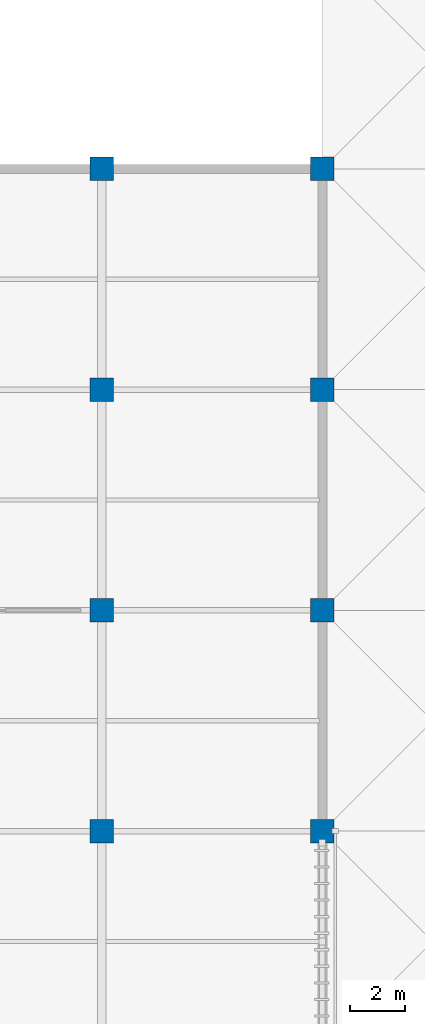
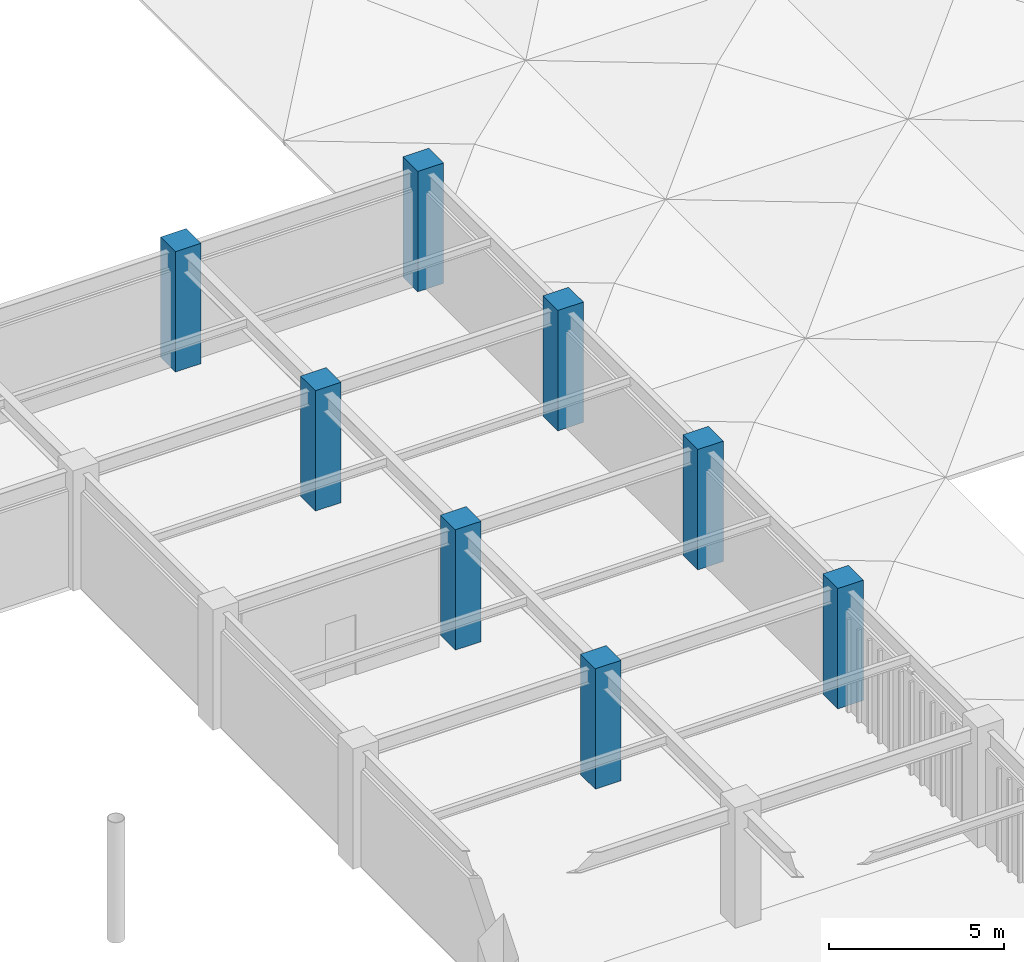
# One storey, part 18 of 78: 8 columns.
"""IFC4 building model written with IfcOpenShell, lengths in metres."""

import ifcopenshell
import ifcopenshell.guid

model = None  # the IFC model being written
_history = None  # IfcOwnerHistory: only IFC2X3 demands one
_inside = {}  # id of a spatial element -> (the spatial element, [elements in it])
_under = {}  # id of a project, library or spatial element -> (it, [spatial elements below it])
_declared = {}  # id of a project -> (the project, [libraries it declares])
_typed = {}  # id of a type object -> (the type object, [elements of that type])
_made_of = {}  # id of a material, layer set ... -> (it, [elements and type objects made of it])


def new_model(schema):
    """Start an empty IFC model of exactly this schema.

    Asked for "IFC4X3", IfcOpenShell would pick the latest addendum, in which some entities
    have other attributes; the version numbers below select the first issue.
    IFC2X3 requires an IfcOwnerHistory on every rooted entity: one is made here for all.
    """
    global model, _history
    if schema == "IFC4X3":
        model = ifcopenshell.file(schema_version=(4, 3, 0, 0))
    else:
        model = ifcopenshell.file(schema=schema)
    _inside.clear()
    _under.clear()
    _declared.clear()
    _typed.clear()
    _made_of.clear()
    _history = None
    if model.schema == "IFC2X3":
        org = make("IfcOrganization", Name="unknown")
        user = make(
            "IfcPersonAndOrganization",
            ThePerson=make("IfcPerson", FamilyName="unknown"),
            TheOrganization=org,
        )
        app = make(
            "IfcApplication",
            ApplicationDeveloper=org,
            Version="unknown",
            ApplicationFullName="unknown",
            ApplicationIdentifier="unknown",
        )
        _history = make(
            "IfcOwnerHistory",
            OwningUser=user,
            OwningApplication=app,
            ChangeAction="ADDED",
            CreationDate=0,
        )
    return model


def make(cls, **values):
    """One entity of the class cls with the attributes given. An attribute that is None is left unset."""
    return model.create_entity(
        cls, **{name: value for name, value in values.items() if value is not None}
    )


def rooted(cls, **values):
    """An entity with a GlobalId (a new one), such as an element, a storey or a relation."""
    return make(cls, GlobalId=ifcopenshell.guid.new(), OwnerHistory=_history, **values)


def si_unit(unit_type, name, prefix=None):
    """IfcSIUnit, for example si_unit("LENGTHUNIT", "METRE", prefix="MILLI")."""
    return make("IfcSIUnit", UnitType=unit_type, Prefix=prefix, Name=name)


def assignment(units):
    """IfcUnitAssignment: the units of a project."""
    return None if units is None else make("IfcUnitAssignment", Units=units)


def point(xyz):
    """IfcCartesianPoint."""
    return None if xyz is None else make("IfcCartesianPoint", Coordinates=xyz)


def direction(xyz):
    """IfcDirection."""
    return None if xyz is None else make("IfcDirection", DirectionRatios=xyz)


def frame(location, z_axis=None, x_axis=None):
    """IfcAxis2Placement3D, a coordinate frame: its origin and axes. An axis left out is left unset."""
    return make(
        "IfcAxis2Placement3D",
        Location=point(location),
        Axis=direction(z_axis),
        RefDirection=direction(x_axis),
    )


def frame_2d(location, x_axis=None):
    """IfcAxis2Placement2D, a coordinate frame in the plane: its origin and x axis."""
    return make(
        "IfcAxis2Placement2D", Location=point(location), RefDirection=direction(x_axis)
    )


def origin():
    """The frame at (0, 0, 0) with its axes left unset."""
    return frame((0.0, 0.0, 0.0))


def origin_2d():
    """The frame at (0, 0) in the plane with its x axis left unset."""
    return frame_2d((0.0, 0.0))


def place(relative_to, where):
    """IfcLocalPlacement: puts the frame where relative to a parent placement (None: the world)."""
    return make(
        "IfcLocalPlacement", PlacementRelTo=relative_to, RelativePlacement=where
    )


def context(
    kind, dimensions, precision=None, world=None, true_north=None, identifier=None
):
    """IfcGeometricRepresentationContext, for example the 3D "Model" context."""
    return make(
        "IfcGeometricRepresentationContext",
        ContextIdentifier=identifier,
        ContextType=kind,
        CoordinateSpaceDimension=dimensions,
        Precision=precision,
        WorldCoordinateSystem=world,
        TrueNorth=true_north,
    )


def subcontext(parent, identifier, kind, view, scale=None):
    """IfcGeometricRepresentationSubContext, for example "Body" below "Model"."""
    return make(
        "IfcGeometricRepresentationSubContext",
        ContextIdentifier=identifier,
        ContextType=kind,
        ParentContext=parent,
        TargetScale=scale,
        TargetView=view,
    )


def project(units=None, contexts=None):
    """IfcProject with its units and contexts."""
    return rooted(
        "IfcProject",
        Name="project",
        RepresentationContexts=contexts,
        UnitsInContext=assignment(units),
    )


def spatial(cls, under=None, at=None, **own):
    """A site, building, storey or space (cls), placed at a placement, below another one or the project."""
    s = rooted(cls, ObjectPlacement=at, **own)
    if under is not None:
        _under.setdefault(under.id(), (under, []))[1].append(s)
    return s


def profile(cls, at=None, kind="AREA", **sizes):
    """A parametric profile (cls). Its sizes go by their IFC names, for example OverallWidth=200.0."""
    return make(cls, ProfileType=kind, Position=at, **sizes)


def rectangle(**sizes):
    """IfcRectangleProfileDef."""
    return profile("IfcRectangleProfileDef", **sizes)


def extrude(swept, where, along, depth):
    """IfcExtrudedAreaSolid: the profile swept, set in the frame where, extruded along a direction by depth."""
    return make(
        "IfcExtrudedAreaSolid",
        SweptArea=swept,
        Position=where,
        ExtrudedDirection=direction(along),
        Depth=depth,
    )


def shape(context_of_items, identifier, shape_type, items):
    """IfcShapeRepresentation: the items that make up one representation, for example the "Body"."""
    return make(
        "IfcShapeRepresentation",
        ContextOfItems=context_of_items,
        RepresentationIdentifier=identifier,
        RepresentationType=shape_type,
        Items=items,
    )


def material(Name=None, Category=None):
    """IfcMaterial."""
    return make("IfcMaterial", Name=Name, Category=Category)


def material_profile(
    of_material, cross_section, Name=None, Category=None, Priority=None
):
    """IfcMaterialProfile: a cross section and its material."""
    return make(
        "IfcMaterialProfile",
        Name=Name,
        Material=of_material,
        Profile=cross_section,
        Priority=Priority,
        Category=Category,
    )


def profile_set(profiles, Name=None, composite=None):
    """IfcMaterialProfileSet."""
    return make(
        "IfcMaterialProfileSet",
        Name=Name,
        MaterialProfiles=profiles,
        CompositeProfile=composite,
    )


def made_of(thing, what):
    """Note that an element or type object is made of a material, layer set ...; save() writes the relation."""
    if what is not None:
        _made_of.setdefault(what.id(), (what, []))[1].append(thing)
    return thing


def type_object(cls, material=None, **own):
    """A type object (cls), such as IfcWallType, which elements share."""
    return made_of(rooted(cls, **own), material)


def element(
    cls,
    number,
    at=None,
    inside=None,
    cuts=None,
    type_object=None,
    material=None,
    context=None,
    identifier="Body",
    shape_type=None,
    held_by="IfcProductDefinitionShape",
    body=None,
    shapes=None,
    **own,
):
    """One element of the class cls, such as IfcWall. Its Tag is "e" and its number.

    at: its placement. inside: the storey or other place that contains it. cuts: it is an
    opening in that element (IfcRelVoidsElement). A single representation is given by context,
    identifier, shape_type and body (its items); several are given by shapes. held_by: the class
    of the entity that holds the representations. save() writes the other relations.
    """
    e = rooted(cls, Tag="e%d" % number, ObjectPlacement=at, **own)
    if body is not None:
        shapes = [shape(context, identifier, shape_type, body)]
    if shapes is not None:
        e.Representation = make(held_by, Representations=shapes)
    if inside is not None:
        _inside.setdefault(inside.id(), (inside, []))[1].append(e)
    if cuts is not None:
        rooted(
            "IfcRelVoidsElement", RelatingBuildingElement=cuts, RelatedOpeningElement=e
        )
    if type_object is not None:
        _typed.setdefault(type_object.id(), (type_object, []))[1].append(e)
    return made_of(e, material)


def aggregate(whole, parts):
    """IfcRelAggregates: a whole, such as a stair, and the parts it consists of."""
    return rooted("IfcRelAggregates", RelatingObject=whole, RelatedObjects=parts)


def save(model, path):
    """Write the relations noted so far, then the file.

    IfcRelAggregates (storeys below a building ...), IfcRelContainedInSpatialStructure (elements
    in a storey), IfcRelDefinesByType, IfcRelAssociatesMaterial and IfcRelDeclares: one each for
    every whole, place, type object, material and project.
    """
    for whole, parts in _under.values():
        aggregate(whole, parts)
    for where, things in _inside.values():
        rooted(
            "IfcRelContainedInSpatialStructure",
            RelatedElements=things,
            RelatingStructure=where,
        )
    for kind, things in _typed.values():
        rooted("IfcRelDefinesByType", RelatedObjects=things, RelatingType=kind)
    for what, things in _made_of.values():
        rooted("IfcRelAssociatesMaterial", RelatedObjects=things, RelatingMaterial=what)
    for by, libraries in _declared.values():
        rooted("IfcRelDeclares", RelatingContext=by, RelatedDefinitions=libraries)
    model.write(path)


model = new_model("IFC4")

# Units and contexts
model_context = context("Model", 3, precision=1e-05, world=origin(), true_north=direction((0.0, 1.0)))
body_context = subcontext(model_context, "Body", "Model", "MODEL_VIEW")
ifc_project = project(units=[si_unit("LENGTHUNIT", "METRE"), si_unit("AREAUNIT", "SQUARE_METRE"), si_unit("VOLUMEUNIT", "CUBIC_METRE"), si_unit("PLANEANGLEUNIT", "RADIAN"), si_unit("MASSUNIT", "GRAM", prefix="KILO")], contexts=[model_context])

# Site, building, storey
site_placement = place(None, origin())
site = spatial("IfcSite", under=ifc_project, at=site_placement, CompositionType="ELEMENT")
building_placement = place(site_placement, origin())
building = spatial("IfcBuilding", under=site, at=building_placement, Name="Haebicheon Civic Stadium", CompositionType="ELEMENT")
storey_placement = place(building_placement, frame((0.0, 0.0, 18.60009765625)))
storey = spatial("IfcBuildingStorey", under=building, at=storey_placement, Name="L05", CompositionType="ELEMENT", Elevation=18.60009765625)

# Columns
ifc_material = material(Name="Concrete C40/50", Category="concrete")
ifc_material_profile = material_profile(ifc_material, rectangle(XDim=0.85009765625, YDim=0.85009765625, at=origin_2d()), Name="RC-COL-850x850")
ifc_profile_set = profile_set([ifc_material_profile], Name="Concrete C40/50")
column_type = type_object("IfcColumnType", Name="COL-RC-850", PredefinedType="COLUMN", material=ifc_profile_set)
for number, where, z_axis, x_axis, name in (
    (1, (152.0, 136.0, 0.0), (0.0, 0.0, 1.0), (1.0, 0.0, 0.0), "L05 column 20/T"),
    (2, (152.0, 144.0, 0.0), (0.0, 0.0, 1.0), (1.0, 0.0, 0.0), "L05 column 20/U"),
    (3, (152.0, 152.0, 0.0), (0.0, 0.0, 1.0), (1.0, 0.0, 0.0), "L05 column 20/V"),
    (4, (152.0, 160.0, 0.0), (0.0, 0.0, 1.0), (1.0, 0.0, 0.0), "L05 column 20/W"),
    (5, (160.0, 136.0, 0.0), (0.0, 0.0, 1.0), (1.0, 0.0, 0.0), "L05 column 21/T"),
    (6, (160.0, 144.0, 0.0), (0.0, 0.0, 1.0), (1.0, 0.0, 0.0), "L05 column 21/U"),
    (7, (160.0, 152.0, 0.0), (0.0, 0.0, 1.0), (1.0, 0.0, 0.0), "L05 column 21/V"),
    (8, (160.0, 160.0, 0.0), (0.0, 0.0, 1.0), (1.0, 0.0, 0.0), "L05 column 21/W"),
):
    element("IfcColumn", number, at=place(storey_placement, frame(where, z_axis=z_axis, x_axis=x_axis)), inside=storey, type_object=column_type, material=ifc_profile_set, Name=name, PredefinedType="COLUMN", context=body_context, shape_type="SweptSolid", body=[
        extrude(rectangle(XDim=0.85009765625, YDim=0.85009765625, at=origin_2d()), origin(), (0.0, 0.0, 1.0), 4.199951171875),
    ])

save(model, "model.ifc")
